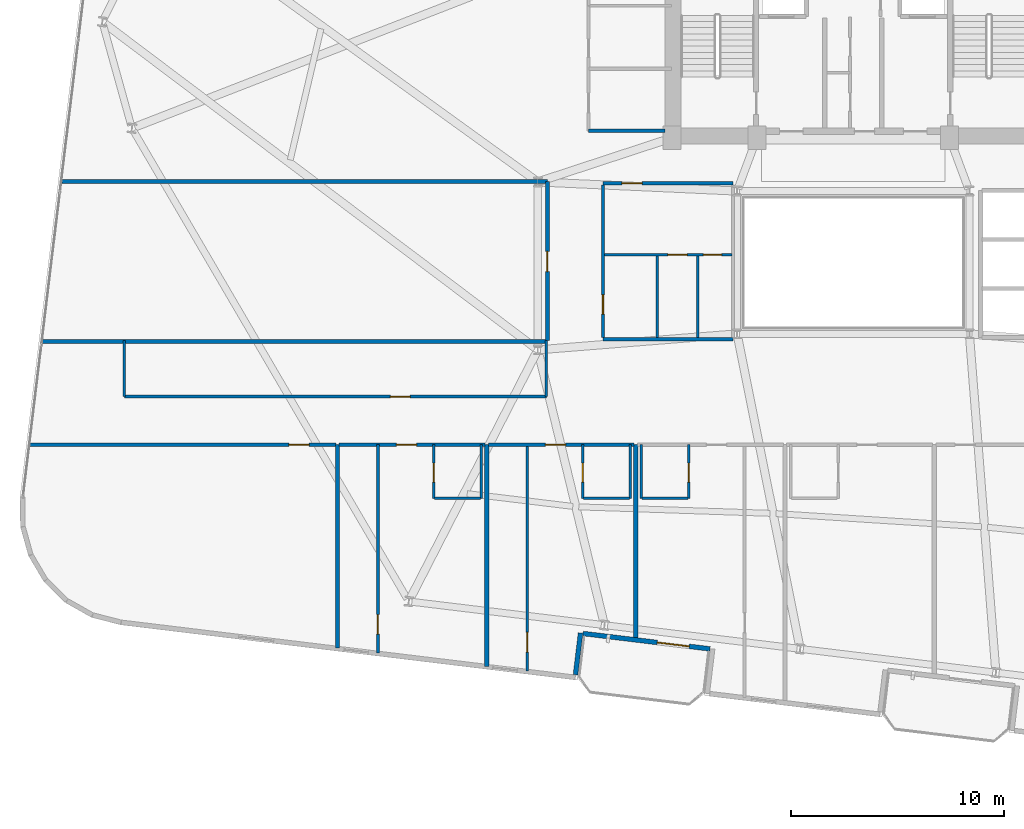
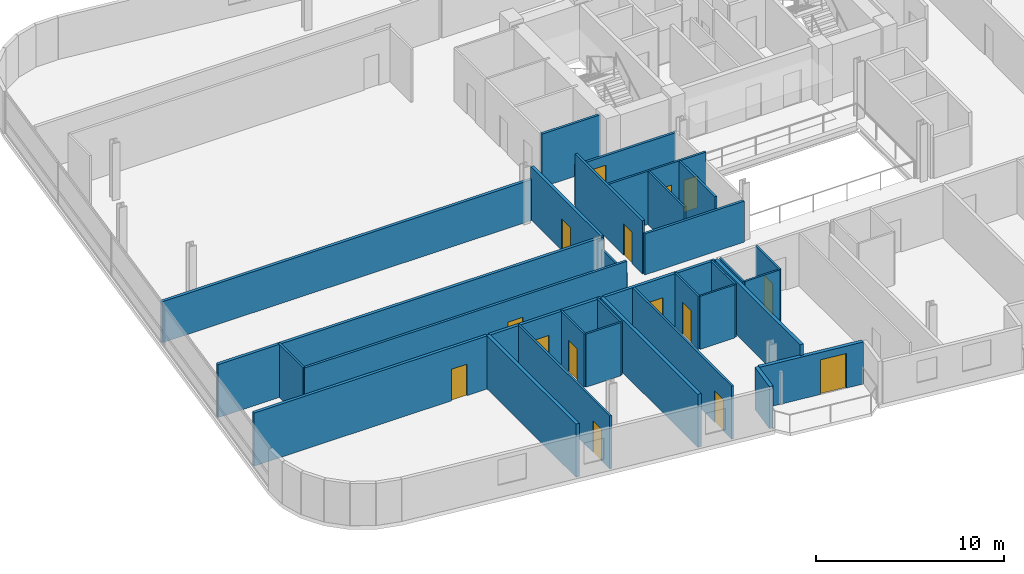
# One storey, part 20 of 26: 32 walls, 15 doors, 15 openings.
"""IFC4 building model written with IfcOpenShell, lengths in metres."""

from ifc_helpers import new_model, si_unit, direction, frame, frame_2d, origin, place, context, subcontext, project, spatial, rectangle, extrude, material, layer, layer_set, type_object, element, fill, save


model = new_model("IFC4")

# Units and contexts
model_context = context("Model", 3, precision=1e-05, world=origin(), true_north=direction((0.0, 1.0)))
body_context = subcontext(model_context, "Body", "Model", "MODEL_VIEW")
ifc_project = project(units=[si_unit("LENGTHUNIT", "METRE"), si_unit("AREAUNIT", "SQUARE_METRE"), si_unit("VOLUMEUNIT", "CUBIC_METRE"), si_unit("PLANEANGLEUNIT", "RADIAN"), si_unit("MASSUNIT", "GRAM", prefix="KILO")], contexts=[model_context])

# Site, building, storey
site_placement = place(None, origin())
site = spatial("IfcSite", under=ifc_project, at=site_placement, CompositionType="ELEMENT")
building_placement = place(site_placement, origin())
building = spatial("IfcBuilding", under=site, at=building_placement, Name="Varnelok Gate Tower", CompositionType="ELEMENT")
storey_placement = place(building_placement, frame((0.0, 0.0, 155.0)))
storey = spatial("IfcBuildingStorey", under=building, at=storey_placement, Name="L39", CompositionType="ELEMENT", Elevation=155.0)

# Wall, opening, door
ifc_material_1 = material(Name="Concrete C45/55", Category="concrete")
ifc_layer_1 = layer(ifc_material_1, 0.219970703125)
ifc_layer_set_1 = layer_set([ifc_layer_1], Name="Concrete C45/55")
wall_type_1 = type_object("IfcWallType", Name="EW-BALC-220", PredefinedType="SOLIDWALL", material=ifc_layer_set_1)
wall_1_placement = place(storey_placement, frame((32.48046875, 4.76953125, 0.0), z_axis=(0.0, 0.0, 1.0), x_axis=(-0.992735402148, 0.120318000826, 0.0)))
wall_1 = element("IfcWall", 1, at=wall_1_placement, inside=storey, type_object=wall_type_1, Name="L39 South Terrace Envelope Wall 1", PredefinedType="SOLIDWALL", context=body_context, shape_type="SweptSolid", body=[
    extrude(rectangle(XDim=6.000244140625, YDim=0.219970703125, at=frame_2d((3.0, 0.0))), origin(), (0.0, 0.0, 1.0), 2.72998046875),
])
opening_1_placement = place(wall_1_placement, frame((0.991943359375, 0.0, 0.0)))
opening_1 = element("IfcOpeningElement", 2, at=opening_1_placement, cuts=wall_1, Name="Opening BD-1", PredefinedType="OPENING", context=body_context, shape_type="SweptSolid", body=[
    extrude(rectangle(XDim=1.5, YDim=2.25, at=frame_2d((0.75, 1.125))), frame((0.0, 0.119873046875, 0.0), z_axis=(0.0, -1.0, 0.0), x_axis=(1.0, 0.0, 0.0)), (0.0, 0.0, 1.0), 0.239990234375),
])
ifc_material_2 = material(Name="Anodized Aluminum Alloy 6063-T6", Category="aluminium")
door_type_1 = type_object("IfcDoorType", Name="DR-EXT-BALC1500", OperationType="NOTDEFINED", PredefinedType="DOOR", material=ifc_material_2)
door_1_placement = place(opening_1_placement, origin())
door_1 = element("IfcDoor", 3, at=door_1_placement, inside=storey, type_object=door_type_1, Name="L39 South Balcony Glazed Door 1", OperationType="SINGLE_SWING_RIGHT", OverallHeight=2.25, OverallWidth=1.5, PredefinedType="DOOR", context=body_context, shape_type="SweptSolid", body=[
    extrude(rectangle(XDim=1.5, YDim=2.25, at=frame_2d((0.75, 1.125))), frame((0.0, 0.02490234375, 0.0), z_axis=(0.0, -1.0, 0.0), x_axis=(1.0, 0.0, 0.0)), (0.0, 0.0, 1.0), 0.050048828125),
])
fill(opening_1, door_1)

# Wall
wall_2_placement = place(storey_placement, frame((26.16845703125, 3.555419921875, 0.0), z_axis=(0.0, 0.0, 1.0), x_axis=(0.120290754542, 0.992738703976, 0.0)))
element("IfcWall", 4, at=wall_2_placement, inside=storey, type_object=wall_type_1, Name="L39 Perimeter Facade Closure Wall 8", PredefinedType="SOLIDWALL", context=body_context, shape_type="SweptSolid", body=[
    extrude(rectangle(XDim=1.974853515625, YDim=0.219970703125, at=frame_2d((0.9873046875, 0.0))), origin(), (0.0, 0.0, 1.0), 2.72998046875),
])

# Wall, opening, door
ifc_material_3 = material(Name="Gypsum Plasterboard Acoustic Partition", Category="gypsum")
ifc_layer_2 = layer(ifc_material_3, 0.179931640625)
ifc_layer_set_2 = layer_set([ifc_layer_2], Name="Gypsum Plasterboard Acoustic Partition")
wall_type_2 = type_object("IfcWallType", Name="PW-CORR-180", PredefinedType="PARTITIONING", material=ifc_layer_set_2)
wall_3_placement = place(storey_placement, frame((0.581298828125, 14.35009765625, 0.0), z_axis=(0.0, 0.0, 1.0), x_axis=(1.0, 0.0, 0.0)))
wall_3 = element("IfcWall", 5, at=wall_3_placement, inside=storey, type_object=wall_type_2, Name="Interior Partition", PredefinedType="PARTITIONING", context=body_context, shape_type="SweptSolid", body=[
    extrude(rectangle(XDim=14.338623046875, YDim=0.179931640625, at=frame_2d((7.16943359375, 0.0))), origin(), (0.0, 0.0, 1.0), 3.449951171875),
])
opening_2_placement = place(wall_3_placement, frame((12.143798828125, 0.0, 0.0)))
opening_2 = element("IfcOpeningElement", 6, at=opening_2_placement, cuts=wall_3, Name="Opening D-I2", PredefinedType="OPENING", context=body_context, shape_type="SweptSolid", body=[
    extrude(rectangle(XDim=0.949951171875, YDim=2.050048828125, at=frame_2d((0.47509765625, 1.02490234375))), frame((0.0, 0.099853515625, 0.0), z_axis=(0.0, -1.0, 0.0), x_axis=(1.0, 0.0, 0.0)), (0.0, 0.0, 1.0), 0.199951171875),
])
ifc_material_4 = material(Name="Engineered Hardwood Timber", Category="wood")
door_type_2 = type_object("IfcDoorType", Name="DR-INT-950", OperationType="NOTDEFINED", PredefinedType="DOOR", material=ifc_material_4)
door_2_placement = place(opening_2_placement, origin())
door_2 = element("IfcDoor", 7, at=door_2_placement, inside=storey, type_object=door_type_2, Name="L39 Wellness Spa Lounge Door", OperationType="SINGLE_SWING_LEFT", OverallHeight=2.050048828125, OverallWidth=0.949951171875, PredefinedType="DOOR", context=body_context, shape_type="SweptSolid", body=[
    extrude(rectangle(XDim=0.949951171875, YDim=2.050048828125, at=frame_2d((0.47509765625, 1.02490234375))), frame((0.0, 0.02490234375, 0.0), z_axis=(0.0, -1.0, 0.0), x_axis=(1.0, 0.0, 0.0)), (0.0, 0.0, 1.0), 0.050048828125),
])
fill(opening_2, door_2)

wall_4_placement = place(storey_placement, frame((15.080078125, 14.35009765625, 0.0), z_axis=(0.0, 0.0, 1.0), x_axis=(1.0, 0.0, 0.0)))
wall_4 = element("IfcWall", 8, at=wall_4_placement, inside=storey, type_object=wall_type_2, Name="Interior Partition", PredefinedType="PARTITIONING", context=body_context, shape_type="SweptSolid", body=[
    extrude(rectangle(XDim=6.83984375, YDim=0.179931640625, at=frame_2d((3.419921875, 0.0))), origin(), (0.0, 0.0, 1.0), 3.449951171875),
])
opening_3_placement = place(wall_4_placement, frame((2.679931640625, 0.0, 0.0)))
opening_3 = element("IfcOpeningElement", 9, at=opening_3_placement, cuts=wall_4, Name="Opening D-HT", PredefinedType="OPENING", context=body_context, shape_type="SweptSolid", body=[
    extrude(rectangle(XDim=0.949951171875, YDim=2.14990234375, at=frame_2d((0.47509765625, 1.074951171875))), frame((0.0, 0.099853515625, 0.0), z_axis=(0.0, -1.0, 0.0), x_axis=(1.0, 0.0, 0.0)), (0.0, 0.0, 1.0), 0.199951171875),
])
door_type_3 = type_object("IfcDoorType", Name="DR-HTL-950", OperationType="NOTDEFINED", PredefinedType="DOOR", material=ifc_material_4)
door_3_placement = place(opening_3_placement, origin())
door_3 = element("IfcDoor", 10, at=door_3_placement, inside=storey, type_object=door_type_3, Name="L39 Guest Room 02 Entrance Door", OperationType="SINGLE_SWING_LEFT", OverallHeight=2.14990234375, OverallWidth=0.949951171875, PredefinedType="DOOR", context=body_context, shape_type="SweptSolid", body=[
    extrude(rectangle(XDim=0.949951171875, YDim=2.14990234375, at=frame_2d((0.47509765625, 1.074951171875))), frame((0.0, 0.02490234375, 0.0), z_axis=(0.0, -1.0, 0.0), x_axis=(1.0, 0.0, 0.0)), (0.0, 0.0, 1.0), 0.050048828125),
])
fill(opening_3, door_3)

wall_5_placement = place(storey_placement, frame((22.080078125, 14.35009765625, 0.0), z_axis=(0.0, 0.0, 1.0), x_axis=(1.0, 0.0, 0.0)))
wall_5 = element("IfcWall", 11, at=wall_5_placement, inside=storey, type_object=wall_type_2, Name="Interior Partition", PredefinedType="PARTITIONING", context=body_context, shape_type="SweptSolid", body=[
    extrude(rectangle(XDim=6.83984375, YDim=0.179931640625, at=frame_2d((3.419921875, 0.0))), origin(), (0.0, 0.0, 1.0), 3.449951171875),
])
opening_4_placement = place(wall_5_placement, frame((2.679931640625, 0.0, 0.0)))
opening_4 = element("IfcOpeningElement", 12, at=opening_4_placement, cuts=wall_5, Name="Opening D-HT", PredefinedType="OPENING", context=body_context, shape_type="SweptSolid", body=[
    extrude(rectangle(XDim=0.949951171875, YDim=2.14990234375, at=frame_2d((0.47509765625, 1.074951171875))), frame((0.0, 0.099853515625, 0.0), z_axis=(0.0, -1.0, 0.0), x_axis=(1.0, 0.0, 0.0)), (0.0, 0.0, 1.0), 0.199951171875),
])
door_4_placement = place(opening_4_placement, origin())
door_4 = element("IfcDoor", 13, at=door_4_placement, inside=storey, type_object=door_type_3, Name="L39 Guest Room 03 Entrance Door", OperationType="SINGLE_SWING_RIGHT", OverallHeight=2.14990234375, OverallWidth=0.949951171875, PredefinedType="DOOR", context=body_context, shape_type="SweptSolid", body=[
    extrude(rectangle(XDim=0.949951171875, YDim=2.14990234375, at=frame_2d((0.47509765625, 1.074951171875))), frame((0.0, 0.02490234375, 0.0), z_axis=(0.0, -1.0, 0.0), x_axis=(1.0, 0.0, 0.0)), (0.0, 0.0, 1.0), 0.050048828125),
])
fill(opening_4, door_4)

wall_6_placement = place(storey_placement, frame((24.85009765625, 19.239990234375, 0.0), z_axis=(0.0, 0.0, 1.0), x_axis=(0.0, 1.0, 0.0)))
wall_6 = element("IfcWall", 14, at=wall_6_placement, inside=storey, type_object=wall_type_2, Name="Interior Partition", PredefinedType="PARTITIONING", context=body_context, shape_type="SweptSolid", body=[
    extrude(rectangle(XDim=7.4599609375, YDim=0.179931640625, at=frame_2d((3.72998046875, 0.0))), origin(), (0.0, 0.0, 1.0), 3.449951171875),
])
opening_5_placement = place(wall_6_placement, frame((3.235107421875, 0.0, 0.0)))
opening_5 = element("IfcOpeningElement", 15, at=opening_5_placement, cuts=wall_6, Name="Opening D-I2", PredefinedType="OPENING", context=body_context, shape_type="SweptSolid", body=[
    extrude(rectangle(XDim=0.949951171875, YDim=2.050048828125, at=frame_2d((0.47509765625, 1.02490234375))), frame((0.0, 0.099853515625, 0.0), z_axis=(0.0, -1.0, 0.0), x_axis=(1.0, 0.0, 0.0)), (0.0, 0.0, 1.0), 0.199951171875),
])
door_5_placement = place(opening_5_placement, origin())
door_5 = element("IfcDoor", 16, at=door_5_placement, inside=storey, type_object=door_type_2, Name="L39 West Flank Room Door", OperationType="SINGLE_SWING_LEFT", OverallHeight=2.050048828125, OverallWidth=0.949951171875, PredefinedType="DOOR", context=body_context, shape_type="SweptSolid", body=[
    extrude(rectangle(XDim=0.949951171875, YDim=2.050048828125, at=frame_2d((0.47509765625, 1.02490234375))), frame((0.0, 0.02490234375, 0.0), z_axis=(0.0, -1.0, 0.0), x_axis=(1.0, 0.0, 0.0)), (0.0, 0.0, 1.0), 0.050048828125),
])
fill(opening_5, door_5)

# Walls
wall_7_placement = place(storey_placement, frame((1.169189453125, 19.199951171875, 0.0), z_axis=(0.0, 0.0, 1.0), x_axis=(1.0, 0.0, 0.0)))
element("IfcWall", 17, at=wall_7_placement, inside=storey, type_object=wall_type_2, Name="Interior Partition", PredefinedType="PARTITIONING", context=body_context, shape_type="SweptSolid", body=[
    extrude(rectangle(XDim=23.680908203125, YDim=0.179931640625, at=frame_2d((11.84033203125, 0.0))), origin(), (0.0, 0.0, 1.0), 3.449951171875),
])
wall_8_placement = place(storey_placement, frame((2.078369140625, 26.699951171875, 0.0), z_axis=(0.0, 0.0, 1.0), x_axis=(1.0, 0.0, 0.0)))
element("IfcWall", 18, at=wall_8_placement, inside=storey, type_object=wall_type_2, Name="Interior Partition", PredefinedType="PARTITIONING", context=body_context, shape_type="SweptSolid", body=[
    extrude(rectangle(XDim=22.771728515625, YDim=0.179931640625, at=frame_2d((11.3857421875, 0.0))), origin(), (0.0, 0.0, 1.0), 2.662109375),
])
ifc_layer_3 = layer(ifc_material_3, 0.114990234375)
ifc_layer_set_3 = layer_set([ifc_layer_3], Name="Gypsum Plasterboard Acoustic Partition")
wall_type_3 = type_object("IfcWallType", Name="PW-ENS-125", PredefinedType="PARTITIONING", material=ifc_layer_set_3)
wall_9_placement = place(storey_placement, frame((19.550048828125, 11.830078125, 0.0), z_axis=(0.0, 0.0, 1.0), x_axis=(1.0, 0.0, 0.0)))
element("IfcWall", 19, at=wall_9_placement, inside=storey, type_object=wall_type_3, Name="Interior Partition", PredefinedType="PARTITIONING", context=body_context, shape_type="SweptSolid", body=[
    extrude(rectangle(XDim=2.14990234375, YDim=0.114990234375, at=frame_2d((1.074951171875, 0.0))), origin(), (0.0, 0.0, 1.0), 3.449951171875),
])

# Wall, opening, door
wall_10_placement = place(storey_placement, frame((19.510009765625, 11.830078125, 0.0), z_axis=(0.0, 0.0, 1.0), x_axis=(0.0, 1.0, 0.0)))
wall_10 = element("IfcWall", 20, at=wall_10_placement, inside=storey, type_object=wall_type_3, Name="Interior Partition", PredefinedType="PARTITIONING", context=body_context, shape_type="SweptSolid", body=[
    extrude(rectangle(XDim=2.52001953125, YDim=0.114990234375, at=frame_2d((1.260009765625, 0.0))), origin(), (0.0, 0.0, 1.0), 3.449951171875),
])
opening_6_placement = place(wall_10_placement, frame((0.760009765625, 0.0, 0.0)))
opening_6 = element("IfcOpeningElement", 21, at=opening_6_placement, cuts=wall_10, Name="Opening D-WC", PredefinedType="OPENING", context=body_context, shape_type="SweptSolid", body=[
    extrude(rectangle(XDim=0.89990234375, YDim=2.050048828125, at=frame_2d((0.449951171875, 1.02490234375))), frame((0.0, 0.0673828125, 0.0), z_axis=(0.0, -1.0, 0.0), x_axis=(1.0, 0.0, 0.0)), (0.0, 0.0, 1.0), 0.135009765625),
])
door_type_4 = type_object("IfcDoorType", Name="DR-BATH-900", OperationType="NOTDEFINED", PredefinedType="DOOR", material=ifc_material_4)
door_6_placement = place(opening_6_placement, origin())
door_6 = element("IfcDoor", 22, at=door_6_placement, inside=storey, type_object=door_type_4, Name="L39 Guest En-Suite 02 Door", OperationType="SINGLE_SWING_RIGHT", OverallHeight=2.050048828125, OverallWidth=0.89990234375, PredefinedType="DOOR", context=body_context, shape_type="SweptSolid", body=[
    extrude(rectangle(XDim=0.89990234375, YDim=2.050048828125, at=frame_2d((0.449951171875, 1.02490234375))), frame((0.0, 0.02490234375, 0.0), z_axis=(0.0, -1.0, 0.0), x_axis=(1.0, 0.0, 0.0)), (0.0, 0.0, 1.0), 0.050048828125),
])
fill(opening_6, door_6)

# Walls
wall_11_placement = place(storey_placement, frame((21.739990234375, 11.830078125, 0.0), z_axis=(0.0, 0.0, 1.0), x_axis=(0.0, 1.0, 0.0)))
element("IfcWall", 23, at=wall_11_placement, inside=storey, type_object=wall_type_3, Name="Interior Partition", PredefinedType="PARTITIONING", context=body_context, shape_type="SweptSolid", body=[
    extrude(rectangle(XDim=2.52001953125, YDim=0.114990234375, at=frame_2d((1.260009765625, 0.0))), origin(), (0.0, 0.0, 1.0), 3.449951171875),
])
wall_12_placement = place(storey_placement, frame((26.550048828125, 11.830078125, 0.0), z_axis=(0.0, 0.0, 1.0), x_axis=(1.0, 0.0, 0.0)))
element("IfcWall", 24, at=wall_12_placement, inside=storey, type_object=wall_type_3, Name="Interior Partition", PredefinedType="PARTITIONING", context=body_context, shape_type="SweptSolid", body=[
    extrude(rectangle(XDim=2.14990234375, YDim=0.114990234375, at=frame_2d((1.074951171875, 0.0))), origin(), (0.0, 0.0, 1.0), 3.449951171875),
])

# Wall, opening, door
wall_13_placement = place(storey_placement, frame((26.510009765625, 11.830078125, 0.0), z_axis=(0.0, 0.0, 1.0), x_axis=(0.0, 1.0, 0.0)))
wall_13 = element("IfcWall", 25, at=wall_13_placement, inside=storey, type_object=wall_type_3, Name="Interior Partition", PredefinedType="PARTITIONING", context=body_context, shape_type="SweptSolid", body=[
    extrude(rectangle(XDim=2.52001953125, YDim=0.114990234375, at=frame_2d((1.260009765625, 0.0))), origin(), (0.0, 0.0, 1.0), 3.449951171875),
])
opening_7_placement = place(wall_13_placement, frame((0.760009765625, 0.0, 0.0)))
opening_7 = element("IfcOpeningElement", 26, at=opening_7_placement, cuts=wall_13, Name="Opening D-WC", PredefinedType="OPENING", context=body_context, shape_type="SweptSolid", body=[
    extrude(rectangle(XDim=0.89990234375, YDim=2.050048828125, at=frame_2d((0.449951171875, 1.02490234375))), frame((0.0, 0.0673828125, 0.0), z_axis=(0.0, -1.0, 0.0), x_axis=(1.0, 0.0, 0.0)), (0.0, 0.0, 1.0), 0.135009765625),
])
door_7_placement = place(opening_7_placement, origin())
door_7 = element("IfcDoor", 27, at=door_7_placement, inside=storey, type_object=door_type_4, Name="L39 Guest En-Suite 03 Door", OperationType="SINGLE_SWING_RIGHT", OverallHeight=2.050048828125, OverallWidth=0.89990234375, PredefinedType="DOOR", context=body_context, shape_type="SweptSolid", body=[
    extrude(rectangle(XDim=0.89990234375, YDim=2.050048828125, at=frame_2d((0.449951171875, 1.02490234375))), frame((0.0, 0.02490234375, 0.0), z_axis=(0.0, -1.0, 0.0), x_axis=(1.0, 0.0, 0.0)), (0.0, 0.0, 1.0), 0.050048828125),
])
fill(opening_7, door_7)

# Walls
wall_14_placement = place(storey_placement, frame((28.739990234375, 11.830078125, 0.0), z_axis=(0.0, 0.0, 1.0), x_axis=(0.0, 1.0, 0.0)))
element("IfcWall", 28, at=wall_14_placement, inside=storey, type_object=wall_type_3, Name="Interior Partition", PredefinedType="PARTITIONING", context=body_context, shape_type="SweptSolid", body=[
    extrude(rectangle(XDim=2.52001953125, YDim=0.114990234375, at=frame_2d((1.260009765625, 0.0))), origin(), (0.0, 0.0, 1.0), 3.449951171875),
])
wall_15_placement = place(storey_placement, frame((29.300048828125, 11.830078125, 0.0), z_axis=(0.0, 0.0, 1.0), x_axis=(1.0, 0.0, 0.0)))
element("IfcWall", 29, at=wall_15_placement, inside=storey, type_object=wall_type_3, Name="Interior Partition", PredefinedType="PARTITIONING", context=body_context, shape_type="SweptSolid", body=[
    extrude(rectangle(XDim=2.14990234375, YDim=0.114990234375, at=frame_2d((1.074951171875, 0.0))), origin(), (0.0, 0.0, 1.0), 3.449951171875),
])

# Wall, opening, door
wall_16_placement = place(storey_placement, frame((31.489990234375, 11.830078125, 0.0), z_axis=(0.0, 0.0, 1.0), x_axis=(0.0, 1.0, 0.0)))
wall_16 = element("IfcWall", 30, at=wall_16_placement, inside=storey, type_object=wall_type_3, Name="Interior Partition", PredefinedType="PARTITIONING", context=body_context, shape_type="SweptSolid", body=[
    extrude(rectangle(XDim=2.52001953125, YDim=0.114990234375, at=frame_2d((1.260009765625, 0.0))), origin(), (0.0, 0.0, 1.0), 3.449951171875),
])
opening_8_placement = place(wall_16_placement, frame((0.760009765625, 0.0, 0.0)))
opening_8 = element("IfcOpeningElement", 31, at=opening_8_placement, cuts=wall_16, Name="Opening D-WC", PredefinedType="OPENING", context=body_context, shape_type="SweptSolid", body=[
    extrude(rectangle(XDim=0.89990234375, YDim=2.050048828125, at=frame_2d((0.449951171875, 1.02490234375))), frame((0.0, 0.0673828125, 0.0), z_axis=(0.0, -1.0, 0.0), x_axis=(1.0, 0.0, 0.0)), (0.0, 0.0, 1.0), 0.135009765625),
])
door_8_placement = place(opening_8_placement, origin())
door_8 = element("IfcDoor", 32, at=door_8_placement, inside=storey, type_object=door_type_4, Name="L39 Guest En-Suite 04 Door", OperationType="SINGLE_SWING_LEFT", OverallHeight=2.050048828125, OverallWidth=0.89990234375, PredefinedType="DOOR", context=body_context, shape_type="SweptSolid", body=[
    extrude(rectangle(XDim=0.89990234375, YDim=2.050048828125, at=frame_2d((0.449951171875, 1.02490234375))), frame((0.0, 0.02490234375, 0.0), z_axis=(0.0, -1.0, 0.0), x_axis=(1.0, 0.0, 0.0)), (0.0, 0.0, 1.0), 0.050048828125),
])
fill(opening_8, door_8)

# Walls
wall_17_placement = place(storey_placement, frame((29.260009765625, 11.830078125, 0.0), z_axis=(0.0, 0.0, 1.0), x_axis=(0.0, 1.0, 0.0)))
element("IfcWall", 33, at=wall_17_placement, inside=storey, type_object=wall_type_3, Name="Interior Partition", PredefinedType="PARTITIONING", context=body_context, shape_type="SweptSolid", body=[
    extrude(rectangle(XDim=2.52001953125, YDim=0.114990234375, at=frame_2d((1.260009765625, 0.0))), origin(), (0.0, 0.0, 1.0), 3.449951171875),
])
ifc_layer_4 = layer(ifc_material_3, 0.125)
ifc_layer_set_4 = layer_set([ifc_layer_4], Name="Gypsum Plasterboard Acoustic Partition")
wall_type_4 = type_object("IfcWallType", Name="PW-PART-125", PredefinedType="PARTITIONING", material=ifc_layer_set_4)
wall_18_placement = place(storey_placement, frame((5.0, 16.610107421875, 0.0), z_axis=(0.0, 0.0, 1.0), x_axis=(0.0, 1.0, 0.0)))
element("IfcWall", 34, at=wall_18_placement, inside=storey, type_object=wall_type_4, Name="Interior Partition", PredefinedType="PARTITIONING", context=body_context, shape_type="SweptSolid", body=[
    extrude(rectangle(XDim=2.6298828125, YDim=0.125, at=frame_2d((1.31494140625, 0.0))), origin(), (0.0, 0.0, 1.0), 3.449951171875),
])
wall_19_placement = place(storey_placement, frame((24.800048828125, 16.610107421875, 0.0), z_axis=(0.0, 0.0, 1.0), x_axis=(0.0, 1.0, 0.0)))
element("IfcWall", 35, at=wall_19_placement, inside=storey, type_object=wall_type_4, Name="Interior Partition", PredefinedType="PARTITIONING", context=body_context, shape_type="SweptSolid", body=[
    extrude(rectangle(XDim=2.6298828125, YDim=0.125, at=frame_2d((1.31494140625, 0.0))), origin(), (0.0, 0.0, 1.0), 2.662109375),
])

# Wall, opening, door
wall_20_placement = place(storey_placement, frame((16.89990234375, 4.572998046875, 0.0), z_axis=(0.0, 0.0, 1.0), x_axis=(0.0, 1.0, 0.0)))
wall_20 = element("IfcWall", 36, at=wall_20_placement, inside=storey, type_object=wall_type_4, Name="Interior Partition", PredefinedType="PARTITIONING", context=body_context, shape_type="SweptSolid", body=[
    extrude(rectangle(XDim=9.777099609375, YDim=0.125, at=frame_2d((4.888671875, 0.0))), origin(), (0.0, 0.0, 1.0), 3.449951171875),
])
opening_9_placement = place(wall_20_placement, frame((0.88818359375, 0.0, 0.0)))
opening_9 = element("IfcOpeningElement", 37, at=opening_9_placement, cuts=wall_20, Name="Opening D-I3", PredefinedType="OPENING", context=body_context, shape_type="SweptSolid", body=[
    extrude(rectangle(XDim=0.919921875, YDim=2.050048828125, at=frame_2d((0.4599609375, 1.02490234375))), frame((0.0, 0.072509765625, 0.0), z_axis=(0.0, -1.0, 0.0), x_axis=(1.0, 0.0, 0.0)), (0.0, 0.0, 1.0), 0.14501953125),
])
door_type_5 = type_object("IfcDoorType", Name="DR-INT-920", OperationType="NOTDEFINED", PredefinedType="DOOR", material=ifc_material_4)
door_9_placement = place(opening_9_placement, origin())
door_9 = element("IfcDoor", 38, at=door_9_placement, inside=storey, type_object=door_type_5, Name="L39 Suite Bedroom Door 2", OperationType="SINGLE_SWING_LEFT", OverallHeight=2.050048828125, OverallWidth=0.919921875, PredefinedType="DOOR", context=body_context, shape_type="SweptSolid", body=[
    extrude(rectangle(XDim=0.919921875, YDim=2.050048828125, at=frame_2d((0.4599609375, 1.02490234375))), frame((0.0, 0.02490234375, 0.0), z_axis=(0.0, -1.0, 0.0), x_axis=(1.0, 0.0, 0.0)), (0.0, 0.0, 1.0), 0.050048828125),
])
fill(opening_9, door_9)

wall_21_placement = place(storey_placement, frame((23.89990234375, 3.724609375, 0.0), z_axis=(0.0, 0.0, 1.0), x_axis=(0.0, 1.0, 0.0)))
wall_21 = element("IfcWall", 39, at=wall_21_placement, inside=storey, type_object=wall_type_4, Name="Interior Partition", PredefinedType="PARTITIONING", context=body_context, shape_type="SweptSolid", body=[
    extrude(rectangle(XDim=10.62548828125, YDim=0.125, at=frame_2d((5.312744140625, 0.0))), origin(), (0.0, 0.0, 1.0), 3.449951171875),
])
opening_10_placement = place(wall_21_placement, frame((0.89892578125, 0.0, 0.0)))
opening_10 = element("IfcOpeningElement", 40, at=opening_10_placement, cuts=wall_21, Name="Opening D-I3", PredefinedType="OPENING", context=body_context, shape_type="SweptSolid", body=[
    extrude(rectangle(XDim=0.919921875, YDim=2.050048828125, at=frame_2d((0.4599609375, 1.02490234375))), frame((0.0, 0.072509765625, 0.0), z_axis=(0.0, -1.0, 0.0), x_axis=(1.0, 0.0, 0.0)), (0.0, 0.0, 1.0), 0.14501953125),
])
door_10_placement = place(opening_10_placement, origin())
door_10 = element("IfcDoor", 41, at=door_10_placement, inside=storey, type_object=door_type_5, Name="L39 Suite Bedroom Door 3", OperationType="SINGLE_SWING_LEFT", OverallHeight=2.050048828125, OverallWidth=0.919921875, PredefinedType="DOOR", context=body_context, shape_type="SweptSolid", body=[
    extrude(rectangle(XDim=0.919921875, YDim=2.050048828125, at=frame_2d((0.4599609375, 1.02490234375))), frame((0.0, 0.02490234375, 0.0), z_axis=(0.0, -1.0, 0.0), x_axis=(1.0, 0.0, 0.0)), (0.0, 0.0, 1.0), 0.050048828125),
])
fill(opening_10, door_10)

# Wall, openings, doors
wall_22_placement = place(storey_placement, frame((27.52001953125, 23.27001953125, 0.0), z_axis=(0.0, 0.0, 1.0), x_axis=(1.0, 0.0, 0.0)))
wall_22 = element("IfcWall", 42, at=wall_22_placement, inside=storey, type_object=wall_type_4, Name="Interior Partition", PredefinedType="PARTITIONING", context=body_context, shape_type="SweptSolid", body=[
    extrude(rectangle(XDim=6.0, YDim=0.125, at=frame_2d((3.0, 0.0))), origin(), (0.0, 0.0, 1.0), 3.449951171875),
])
opening_11_placement = place(wall_22_placement, frame((2.981689453125, 0.0, 0.0)))
opening_11 = element("IfcOpeningElement", 43, at=opening_11_placement, cuts=wall_22, Name="Opening D-I4", PredefinedType="OPENING", context=body_context, shape_type="SweptSolid", body=[
    extrude(rectangle(XDim=0.89990234375, YDim=2.050048828125, at=frame_2d((0.449951171875, 1.02490234375))), frame((0.0, 0.072509765625, 0.0), z_axis=(0.0, -1.0, 0.0), x_axis=(1.0, 0.0, 0.0)), (0.0, 0.0, 1.0), 0.14501953125),
])
opening_12_placement = place(wall_22_placement, frame((4.64990234375, 0.0, 0.0)))
opening_12 = element("IfcOpeningElement", 44, at=opening_12_placement, cuts=wall_22, Name="Opening D-RS", PredefinedType="OPENING", context=body_context, shape_type="SweptSolid", body=[
    extrude(rectangle(XDim=0.85009765625, YDim=2.050048828125, at=frame_2d((0.425048828125, 1.02490234375))), frame((0.0, 0.072509765625, 0.0), z_axis=(0.0, -1.0, 0.0), x_axis=(1.0, 0.0, 0.0)), (0.0, 0.0, 1.0), 0.14501953125),
])
door_type_6 = type_object("IfcDoorType", Name="DR-INT-900", OperationType="NOTDEFINED", PredefinedType="DOOR", material=ifc_material_4)
door_11_placement = place(opening_11_placement, origin())
door_11 = element("IfcDoor", 45, at=door_11_placement, inside=storey, type_object=door_type_6, Name="L39 Trolley Room Door", OperationType="SINGLE_SWING_LEFT", OverallHeight=2.050048828125, OverallWidth=0.89990234375, PredefinedType="DOOR", context=body_context, shape_type="SweptSolid", body=[
    extrude(rectangle(XDim=0.89990234375, YDim=2.050048828125, at=frame_2d((0.449951171875, 1.02490234375))), frame((0.0, 0.02490234375, 0.0), z_axis=(0.0, -1.0, 0.0), x_axis=(1.0, 0.0, 0.0)), (0.0, 0.0, 1.0), 0.050048828125),
])
fill(opening_11, door_11)
ifc_material_5 = material(Name="Galvanized Steel Grade S350GD", Category="steel")
door_type_7 = type_object("IfcDoorType", Name="DR-RISER-850", OperationType="NOTDEFINED", PredefinedType="DOOR", material=ifc_material_5)
door_12_placement = place(opening_12_placement, origin())
door_12 = element("IfcDoor", 46, at=door_12_placement, inside=storey, type_object=door_type_7, Name="L39 Janitor Sink Door", OperationType="SINGLE_SWING_RIGHT", OverallHeight=2.050048828125, OverallWidth=0.85009765625, PredefinedType="DOOR", context=body_context, shape_type="SweptSolid", body=[
    extrude(rectangle(XDim=0.85009765625, YDim=2.050048828125, at=frame_2d((0.425048828125, 1.02490234375))), frame((0.0, 0.02490234375, 0.0), z_axis=(0.0, -1.0, 0.0), x_axis=(1.0, 0.0, 0.0)), (0.0, 0.0, 1.0), 0.050048828125),
])
fill(opening_12, door_12)

# Walls
for number, where, z_axis, x_axis, name in (
    (47, (30.0, 19.3798828125, 0.0), (0.0, 0.0, 1.0), (0.0, 1.0, 0.0), "Interior Partition"),
    (48, (31.89990234375, 19.3798828125, 0.0), (0.0, 0.0, 1.0), (0.0, 1.0, 0.0), "Interior Partition"),
):
    element("IfcWall", number, at=place(storey_placement, frame(where, z_axis=z_axis, x_axis=x_axis)), inside=storey, type_object=wall_type_4, Name=name, PredefinedType="PARTITIONING", context=body_context, shape_type="SweptSolid", body=[
        extrude(rectangle(XDim=3.820068359375, YDim=0.125, at=frame_2d((1.91015625, 0.0))), origin(), (0.0, 0.0, 1.0), 3.449951171875),
    ])

# Wall, opening, door
ifc_layer_5 = layer(ifc_material_3, 0.14990234375)
ifc_layer_set_5 = layer_set([ifc_layer_5], Name="Gypsum Plasterboard Acoustic Partition")
wall_type_5 = type_object("IfcWallType", Name="PW-PART-150", PredefinedType="PARTITIONING", material=ifc_layer_set_5)
wall_23_placement = place(storey_placement, frame((5.0, 16.610107421875, 0.0), z_axis=(0.0, 0.0, 1.0), x_axis=(1.0, 0.0, 0.0)))
wall_23 = element("IfcWall", 49, at=wall_23_placement, inside=storey, type_object=wall_type_5, Name="Interior Partition", PredefinedType="PARTITIONING", context=body_context, shape_type="SweptSolid", body=[
    extrude(rectangle(XDim=19.800048828125, YDim=0.14990234375, at=frame_2d((9.89990234375, 0.0))), origin(), (0.0, 0.0, 1.0), 3.449951171875),
])
opening_13_placement = place(wall_23_placement, frame((12.485107421875, 0.0, 0.0)))
opening_13 = element("IfcOpeningElement", 50, at=opening_13_placement, cuts=wall_23, Name="Opening D-I3", PredefinedType="OPENING", context=body_context, shape_type="SweptSolid", body=[
    extrude(rectangle(XDim=0.919921875, YDim=2.050048828125, at=frame_2d((0.4599609375, 1.02490234375))), frame((0.0, 0.0849609375, 0.0), z_axis=(0.0, -1.0, 0.0), x_axis=(1.0, 0.0, 0.0)), (0.0, 0.0, 1.0), 0.169921875),
])
door_13_placement = place(opening_13_placement, origin())
door_13 = element("IfcDoor", 51, at=door_13_placement, inside=storey, type_object=door_type_5, Name="L39 Atrium Room 1 Door", OperationType="SINGLE_SWING_LEFT", OverallHeight=2.050048828125, OverallWidth=0.919921875, PredefinedType="DOOR", context=body_context, shape_type="SweptSolid", body=[
    extrude(rectangle(XDim=0.919921875, YDim=2.050048828125, at=frame_2d((0.4599609375, 1.02490234375))), frame((0.0, 0.02490234375, 0.0), z_axis=(0.0, -1.0, 0.0), x_axis=(1.0, 0.0, 0.0)), (0.0, 0.0, 1.0), 0.050048828125),
])
fill(opening_13, door_13)

wall_24_placement = place(storey_placement, frame((27.4599609375, 26.6201171875, 0.0), z_axis=(0.0, 0.0, 1.0), x_axis=(1.0, 0.0, 0.0)))
wall_24 = element("IfcWall", 52, at=wall_24_placement, inside=storey, type_object=wall_type_5, Name="Interior Partition", PredefinedType="PARTITIONING", context=body_context, shape_type="SweptSolid", body=[
    extrude(rectangle(XDim=6.10009765625, YDim=0.14990234375, at=frame_2d((3.050048828125, 0.0))), origin(), (0.0, 0.0, 1.0), 2.662109375),
])
opening_14_placement = place(wall_24_placement, frame((0.8896484375, 0.0, 0.0)))
opening_14 = element("IfcOpeningElement", 53, at=opening_14_placement, cuts=wall_24, Name="Opening D-I2", PredefinedType="OPENING", context=body_context, shape_type="SweptSolid", body=[
    extrude(rectangle(XDim=0.949951171875, YDim=2.050048828125, at=frame_2d((0.47509765625, 1.02490234375))), frame((0.0, 0.0849609375, 0.0), z_axis=(0.0, -1.0, 0.0), x_axis=(1.0, 0.0, 0.0)), (0.0, 0.0, 1.0), 0.169921875),
])
door_14_placement = place(opening_14_placement, origin())
door_14 = element("IfcDoor", 54, at=door_14_placement, inside=storey, type_object=door_type_2, Name="L39 Spa Treatment Suite Door", OperationType="SINGLE_SWING_LEFT", OverallHeight=2.050048828125, OverallWidth=0.949951171875, PredefinedType="DOOR", context=body_context, shape_type="SweptSolid", body=[
    extrude(rectangle(XDim=0.949951171875, YDim=2.050048828125, at=frame_2d((0.47509765625, 1.02490234375))), frame((0.0, 0.02490234375, 0.0), z_axis=(0.0, -1.0, 0.0), x_axis=(1.0, 0.0, 0.0)), (0.0, 0.0, 1.0), 0.050048828125),
])
fill(opening_14, door_14)

# Wall
wall_25_placement = place(storey_placement, frame((27.4599609375, 19.300048828125, 0.0), z_axis=(0.0, 0.0, 1.0), x_axis=(1.0, 0.0, 0.0)))
element("IfcWall", 55, at=wall_25_placement, inside=storey, type_object=wall_type_5, Name="Interior Partition", PredefinedType="PARTITIONING", context=body_context, shape_type="SweptSolid", body=[
    extrude(rectangle(XDim=6.10009765625, YDim=0.14990234375, at=frame_2d((3.050048828125, 0.0))), origin(), (0.0, 0.0, 1.0), 2.662109375),
])

# Wall, opening, door
wall_26_placement = place(storey_placement, frame((27.4599609375, 19.3798828125, 0.0), z_axis=(0.0, 0.0, 1.0), x_axis=(0.0, 1.0, 0.0)))
wall_26 = element("IfcWall", 56, at=wall_26_placement, inside=storey, type_object=wall_type_5, Name="Interior Partition", PredefinedType="PARTITIONING", context=body_context, shape_type="SweptSolid", body=[
    extrude(rectangle(XDim=7.16015625, YDim=0.14990234375, at=frame_2d((3.580078125, 0.0))), origin(), (0.0, 0.0, 1.0), 3.449951171875),
])
opening_15_placement = place(wall_26_placement, frame((1.10009765625, 0.0, 0.0)))
opening_15 = element("IfcOpeningElement", 57, at=opening_15_placement, cuts=wall_26, Name="Opening D-WC", PredefinedType="OPENING", context=body_context, shape_type="SweptSolid", body=[
    extrude(rectangle(XDim=0.89990234375, YDim=2.050048828125, at=frame_2d((0.449951171875, 1.02490234375))), frame((0.0, 0.0849609375, 0.0), z_axis=(0.0, -1.0, 0.0), x_axis=(1.0, 0.0, 0.0)), (0.0, 0.0, 1.0), 0.169921875),
])
door_15_placement = place(opening_15_placement, origin())
door_15 = element("IfcDoor", 58, at=door_15_placement, inside=storey, type_object=door_type_4, Name="L39 Accessible Floor WC Door", OperationType="SINGLE_SWING_RIGHT", OverallHeight=2.050048828125, OverallWidth=0.89990234375, PredefinedType="DOOR", context=body_context, shape_type="SweptSolid", body=[
    extrude(rectangle(XDim=0.89990234375, YDim=2.050048828125, at=frame_2d((0.449951171875, 1.02490234375))), frame((0.0, 0.02490234375, 0.0), z_axis=(0.0, -1.0, 0.0), x_axis=(1.0, 0.0, 0.0)), (0.0, 0.0, 1.0), 0.050048828125),
])
fill(opening_15, door_15)

# Walls
wall_27_placement = place(storey_placement, frame((26.780029296875, 29.080078125, 0.0), z_axis=(0.0, 0.0, 1.0), x_axis=(1.0, 0.0, 0.0)))
element("IfcWall", 59, at=wall_27_placement, inside=storey, type_object=wall_type_5, Name="Interior Partition", PredefinedType="PARTITIONING", context=body_context, shape_type="SweptSolid", body=[
    extrude(rectangle(XDim=3.599853515625, YDim=0.14990234375, at=frame_2d((1.7998046875, 0.0))), origin(), (0.0, 0.0, 1.0), 3.449951171875),
])
ifc_layer_6 = layer(ifc_material_3, 0.205078125)
ifc_layer_set_6 = layer_set([ifc_layer_6], Name="Gypsum Plasterboard Acoustic Partition")
wall_type_6 = type_object("IfcWallType", Name="PW-PARTY-200", PredefinedType="PARTITIONING", material=ifc_layer_set_6)
wall_28_placement = place(storey_placement, frame((15.0, 4.803466796875, 0.0), z_axis=(0.0, 0.0, 1.0), x_axis=(0.0, 1.0, 0.0)))
element("IfcWall", 60, at=wall_28_placement, inside=storey, type_object=wall_type_6, Name="L39 South Party Wall 1", PredefinedType="PARTITIONING", context=body_context, shape_type="SweptSolid", body=[
    extrude(rectangle(XDim=9.546630859375, YDim=0.205078125, at=frame_2d((4.7734375, 0.0))), origin(), (0.0, 0.0, 1.0), 3.449951171875),
])
wall_29_placement = place(storey_placement, frame((22.0, 3.954833984375, 0.0), z_axis=(0.0, 0.0, 1.0), x_axis=(0.0, 1.0, 0.0)))
element("IfcWall", 61, at=wall_29_placement, inside=storey, type_object=wall_type_6, Name="L39 South Party Wall 2", PredefinedType="PARTITIONING", context=body_context, shape_type="SweptSolid", body=[
    extrude(rectangle(XDim=10.395263671875, YDim=0.205078125, at=frame_2d((5.19775390625, 0.0))), origin(), (0.0, 0.0, 1.0), 3.449951171875),
])
wall_30_placement = place(storey_placement, frame((29.0, 5.2216796875, 0.0), z_axis=(0.0, 0.0, 1.0), x_axis=(0.0, 1.0, 0.0)))
element("IfcWall", 62, at=wall_30_placement, inside=storey, type_object=wall_type_6, Name="L39 South Party Wall 3", PredefinedType="PARTITIONING", context=body_context, shape_type="SweptSolid", body=[
    extrude(rectangle(XDim=9.12841796875, YDim=0.205078125, at=frame_2d((4.564208984375, 0.0))), origin(), (0.0, 0.0, 1.0), 3.449951171875),
])

save(model, "model.ifc")
